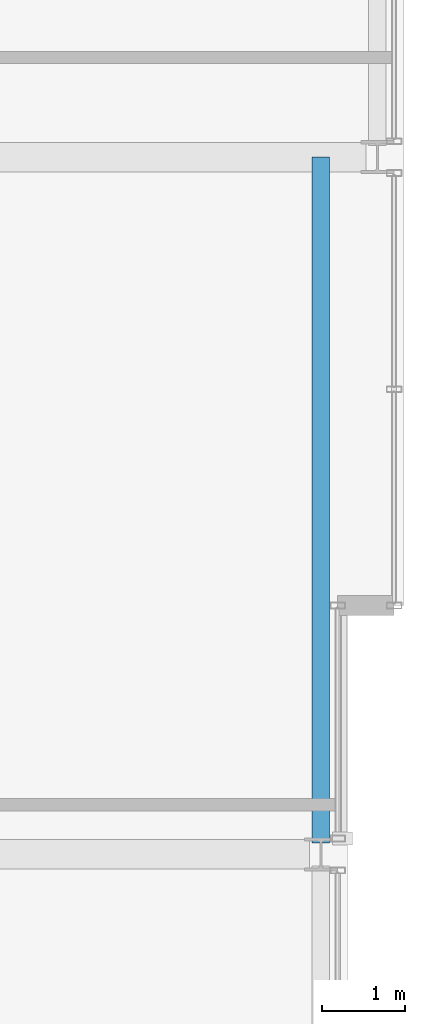
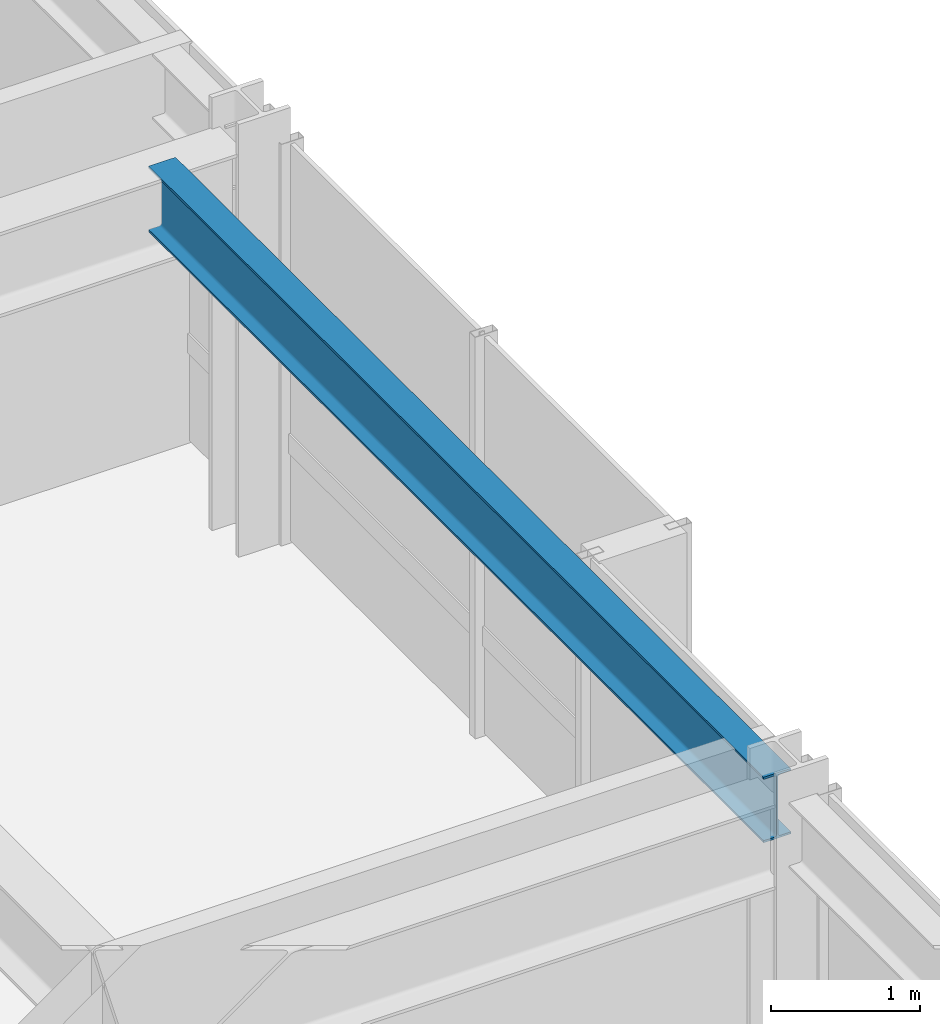
# One storey, part 16 of 32: 1 beam.
"""IFC4 building model written with IfcOpenShell, lengths in metres."""

from ifc_helpers import new_model, si_unit, direction, frame, origin, origin_2d, place, context, subcontext, project, spatial, i_section, extrude, material, material_profile, profile_set, type_object, element, save


model = new_model("IFC4")

# Units and contexts
model_context = context("Model", 3, precision=1e-05, world=origin(), true_north=direction((0.0, 1.0)))
body_context = subcontext(model_context, "Body", "Model", "MODEL_VIEW")
ifc_project = project(units=[si_unit("LENGTHUNIT", "METRE"), si_unit("AREAUNIT", "SQUARE_METRE"), si_unit("VOLUMEUNIT", "CUBIC_METRE"), si_unit("PLANEANGLEUNIT", "RADIAN"), si_unit("MASSUNIT", "GRAM", prefix="KILO")], contexts=[model_context])

# Site, building, storey
site_placement = place(None, origin())
site = spatial("IfcSite", under=ifc_project, at=site_placement, CompositionType="ELEMENT")
building_placement = place(site_placement, origin())
building = spatial("IfcBuilding", under=site, at=building_placement, Name="Drelvath Grand Hotel", CompositionType="ELEMENT")
storey_placement = place(building_placement, frame((0.0, 0.0, 182.35009765625)))
storey = spatial("IfcBuildingStorey", under=building, at=storey_placement, Name="L47", CompositionType="ELEMENT", Elevation=182.35009765625)

# Beam
ifc_material = material(Name="Steel ASTM A992 Gr 50", Category="steel")
ifc_material_profile = material_profile(ifc_material, i_section(OverallWidth=0.210205078125, OverallDepth=0.53662109375, WebThickness=0.010986328125, FlangeThickness=0.017333984375, FilletRadius=0.01806640625, at=origin_2d()), Name="W21X68")
ifc_profile_set = profile_set([ifc_material_profile], Name="Steel ASTM A992 Gr 50")
beam_type = type_object("IfcBeamType", Name="Perimeter Spandrel Beam W21X68", PredefinedType="SPANDREL", material=ifc_profile_set)
beam_placement = place(storey_placement, frame((21.199951171875, 27.139892578125, 3.021484375), z_axis=(0.0, 1.0, 0.0), x_axis=(-1.0, 0.0, 0.0)))
element("IfcBeam", 1, at=beam_placement, inside=storey, type_object=beam_type, Name="L47 Spandrel East Mid N", PredefinedType="SPANDREL", context=body_context, shape_type="SweptSolid", body=[
    extrude(i_section(OverallWidth=0.210205078125, OverallDepth=0.53662109375, WebThickness=0.010986328125, FlangeThickness=0.017333984375, FilletRadius=0.01806640625, at=origin_2d()), origin(), (0.0, 0.0, 1.0), 8.260009765625),
])

save(model, "model.ifc")
